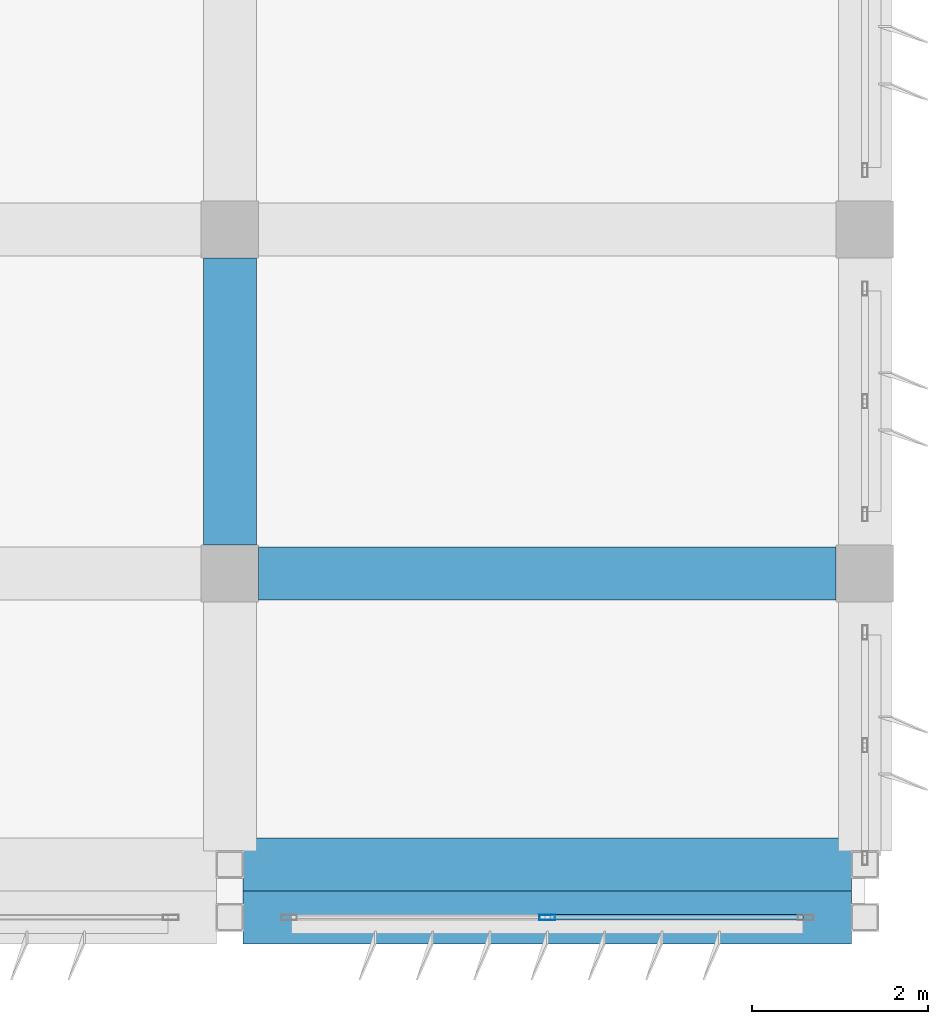
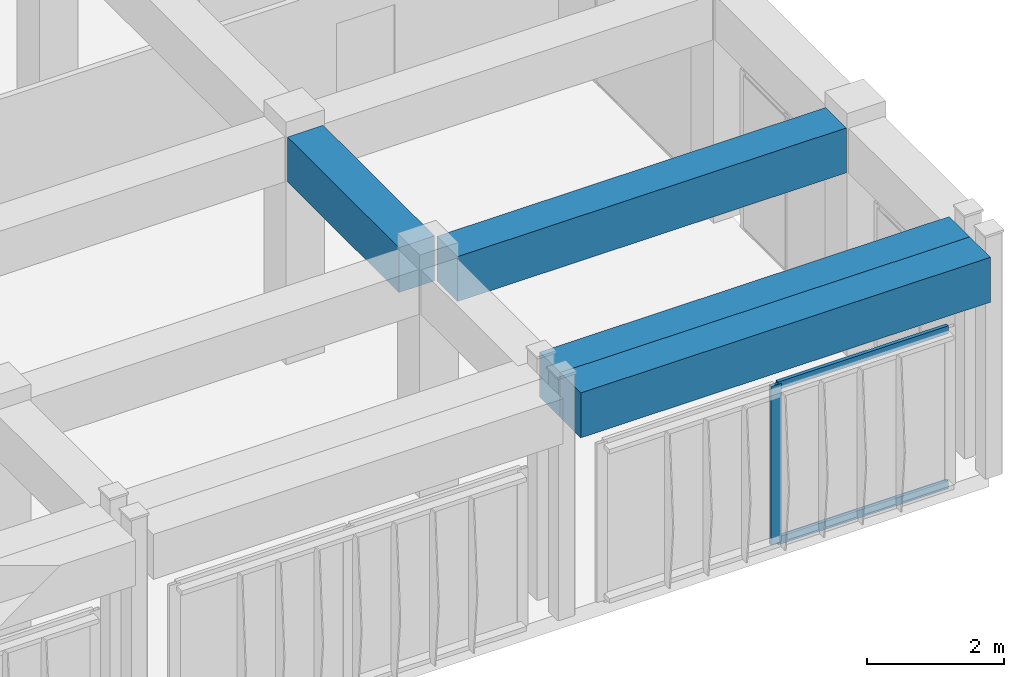
# One storey, part 18 of 42: 4 beams, 3 members, 1 element without a shape of its own.
"""IFC4 building model written with IfcOpenShell, lengths in metres."""

from ifc_helpers import new_model, si_unit, direction, frame, origin, origin_2d, place, context, subcontext, project, spatial, rectangle, hollow_rectangle, extrude, material, material_profile, profile_set, type_object, element, aggregate, save


model = new_model("IFC4")

# Units and contexts
model_context = context("Model", 3, precision=1e-05, world=origin(), true_north=direction((0.0, 1.0)))
body_context = subcontext(model_context, "Body", "Model", "MODEL_VIEW")
ifc_project = project(units=[si_unit("LENGTHUNIT", "METRE"), si_unit("AREAUNIT", "SQUARE_METRE"), si_unit("VOLUMEUNIT", "CUBIC_METRE"), si_unit("PLANEANGLEUNIT", "RADIAN"), si_unit("MASSUNIT", "GRAM", prefix="KILO")], contexts=[model_context])

# Site, building, storey
site_placement = place(None, origin())
site = spatial("IfcSite", under=ifc_project, at=site_placement, CompositionType="ELEMENT")
building_placement = place(site_placement, origin())
building = spatial("IfcBuilding", under=site, at=building_placement, Name="Kazehaya Institute of Natural Sciences", CompositionType="ELEMENT")
storey_placement = place(building_placement, frame((0.0, 0.0, 37.6201171875)))
storey = spatial("IfcBuildingStorey", under=building, at=storey_placement, Name="L08", CompositionType="ELEMENT", Elevation=37.6201171875)

# Beams
ifc_material_1 = material(Name="Concrete Fc36", Category="concrete")
ifc_material_profile_1 = material_profile(ifc_material_1, rectangle(XDim=0.60009765625, YDim=0.800048828125, at=origin_2d()), Name="RC-600x800")
ifc_profile_set_1 = profile_set([ifc_material_profile_1], Name="Concrete Fc36")
beam_type = type_object("IfcBeamType", Name="BM-G-600x800", PredefinedType="BEAM", material=ifc_profile_set_1)
for number, where, z_axis, x_axis, name in (
    (1, (112.35009765625, 6.199951171875, 3.64990234375), (1.0, 0.0, 0.0), (0.0, 1.0, 0.0), "L08 primary X girder BMX-L08-1122-62"),
    (2, (112.35009765625, 6.800048828125, 3.64990234375), (1.0, 0.0, 0.0), (0.0, 1.0, 0.0), "L08 primary X girder BMX-L08-1122-68"),
):
    element("IfcBeam", number, at=place(storey_placement, frame(where, z_axis=z_axis, x_axis=x_axis)), inside=storey, type_object=beam_type, Name=name, PredefinedType="BEAM", context=body_context, shape_type="SweptSolid", body=[
        extrude(rectangle(XDim=0.60009765625, YDim=0.800048828125, at=origin_2d()), origin(), (0.0, 0.0, 1.0), 6.89990234375),
    ])
beam_1_placement = place(storey_placement, frame((112.52490234375, 10.10009765625, 3.64990234375), z_axis=(1.0, 0.0, 0.0), x_axis=(0.0, 1.0, 0.0)))
element("IfcBeam", 3, at=beam_1_placement, inside=storey, type_object=beam_type, Name="L08 primary X girder BMX-L08-1122-101", PredefinedType="BEAM", context=body_context, shape_type="SweptSolid", body=[
    extrude(rectangle(XDim=0.60009765625, YDim=0.800048828125, at=origin_2d()), origin(), (0.0, 0.0, 1.0), 6.550048828125),
])
beam_2_placement = place(storey_placement, frame((112.199951171875, 10.425048828125, 3.64990234375), z_axis=(0.0, 1.0, 0.0), x_axis=(-1.0, 0.0, 0.0)))
element("IfcBeam", 4, at=beam_2_placement, inside=storey, type_object=beam_type, Name="L08 primary Y girder BMY-L08-1122-101", PredefinedType="BEAM", context=body_context, shape_type="SweptSolid", body=[
    extrude(rectangle(XDim=0.60009765625, YDim=0.800048828125, at=origin_2d()), origin(), (0.0, 0.0, 1.0), 3.25),
])

# Curtain wall, members
ifc_material_2 = material(Name="Aluminium alloy A6063S-T5", Category="aluminium")
curtain_wall_type = type_object("IfcCurtainWallType", Name="CW-SYS-05", PredefinedType="NOTDEFINED", material=ifc_material_2)
curtain_wall_placement = place(storey_placement, origin())
curtain_wall = element("IfcCurtainWall", 5, at=curtain_wall_placement, inside=storey, type_object=curtain_wall_type, Name="L08 unitised curtain wall CW-L08-176", PredefinedType="NOTDEFINED")
ifc_material_profile_2 = material_profile(ifc_material_2, hollow_rectangle(XDim=0.06005859375, YDim=0.179931640625, WallThickness=0.00390625, at=origin_2d()), Name="ALU-60x180x4")
ifc_profile_set_2 = profile_set([ifc_material_profile_2], Name="Aluminium alloy A6063S-T5")
member_type_1 = type_object("IfcMemberType", Name="CWM-180", PredefinedType="MULLION", material=ifc_profile_set_2)
member_1_placement = place(storey_placement, frame((115.800048828125, 6.199951171875, 0.0), z_axis=(0.0, 0.0, 1.0), x_axis=(0.0, -1.0, 0.0)))
member_1 = element("IfcMember", 6, at=member_1_placement, type_object=member_type_1, Name="CW05 mullion 2", PredefinedType="MULLION", context=body_context, shape_type="SweptSolid", body=[
    extrude(hollow_rectangle(XDim=0.06005859375, YDim=0.179931640625, WallThickness=0.00390625, at=origin_2d()), origin(), (0.0, 0.0, 1.0), 2.81982421875),
])
ifc_material_profile_3 = material_profile(ifc_material_2, hollow_rectangle(XDim=0.06005859375, YDim=0.139892578125, WallThickness=0.00341796875, at=origin_2d()), Name="ALU-60x140x3.5")
ifc_profile_set_3 = profile_set([ifc_material_profile_3], Name="Aluminium alloy A6063S-T5")
member_type_2 = type_object("IfcMemberType", Name="CWT-140", PredefinedType="USERDEFINED", material=ifc_profile_set_3)
member_2_placement = place(storey_placement, frame((118.699951171875, 6.199951171875, 0.02978515625), z_axis=(-1.0, 0.0, 0.0), x_axis=(0.0, -1.0, 0.0)))
member_2 = element("IfcMember", 7, at=member_2_placement, type_object=member_type_2, Name="CW05 transom 1.1", ObjectType="TRANSOM", PredefinedType="USERDEFINED", context=body_context, shape_type="SweptSolid", body=[
    extrude(hollow_rectangle(XDim=0.06005859375, YDim=0.139892578125, WallThickness=0.00341796875, at=origin_2d()), origin(), (0.0, 0.0, 1.0), 2.869873046875),
])
member_3_placement = place(storey_placement, frame((118.699951171875, 6.199951171875, 2.789794921875), z_axis=(-1.0, 0.0, 0.0), x_axis=(0.0, -1.0, 0.0)))
member_3 = element("IfcMember", 8, at=member_3_placement, type_object=member_type_2, Name="CW05 transom 1.2", ObjectType="TRANSOM", PredefinedType="USERDEFINED", context=body_context, shape_type="SweptSolid", body=[
    extrude(hollow_rectangle(XDim=0.06005859375, YDim=0.139892578125, WallThickness=0.00341796875, at=origin_2d()), origin(), (0.0, 0.0, 1.0), 2.869873046875),
])
aggregate(curtain_wall, [member_1, member_2, member_3])

save(model, "model.ifc")
